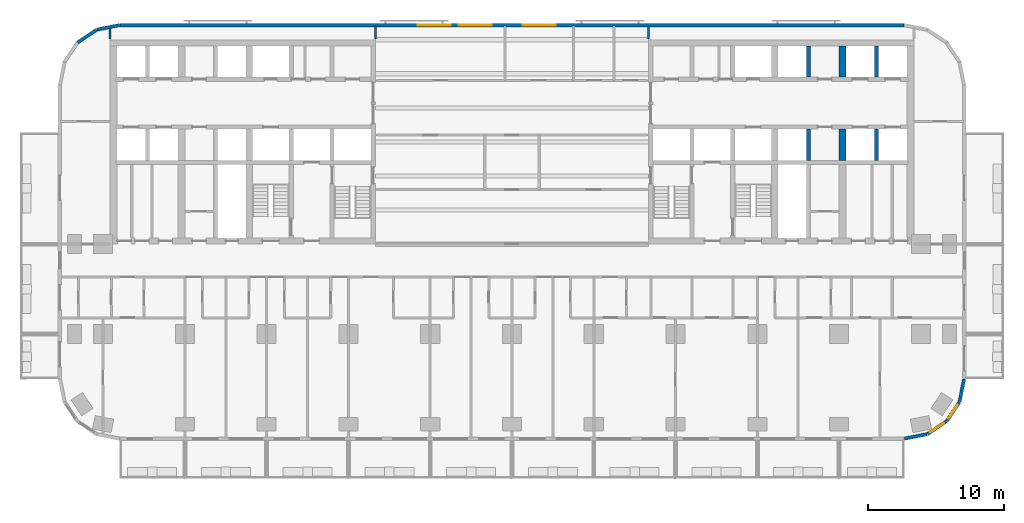
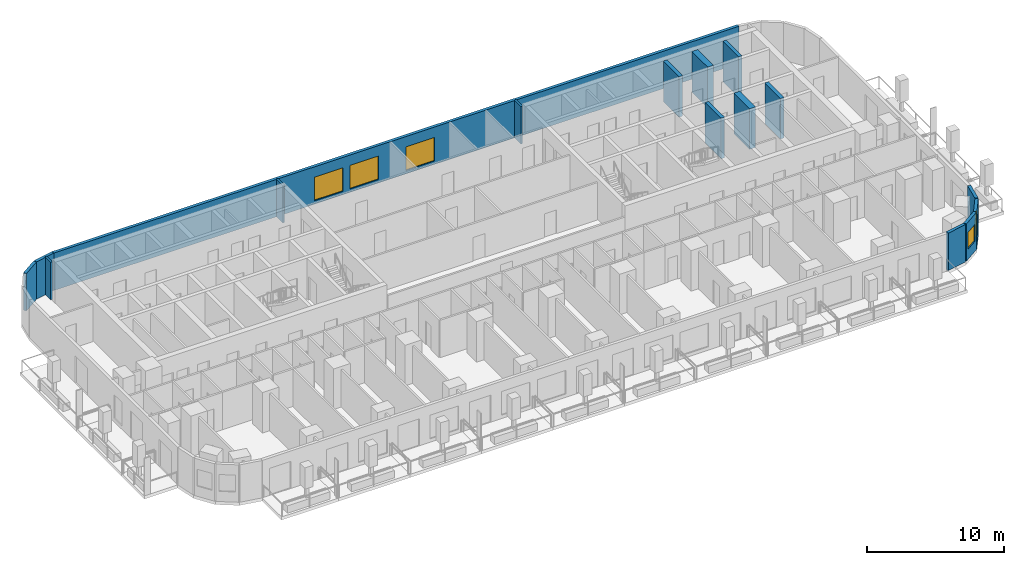
# One storey, part 9 of 15: 16 walls, 5 windows, 5 openings.
"""IFC4 building model written with IfcOpenShell, lengths in metres."""

from ifc_helpers import new_model, si_unit, direction, frame, frame_2d, origin, place, context, subcontext, project, spatial, rectangle, extrude, material, layer, layer_set, type_object, element, fill, save


model = new_model("IFC4")

# Units and contexts
model_context = context("Model", 3, precision=1e-05, world=origin(), true_north=direction((0.0, 1.0)))
body_context = subcontext(model_context, "Body", "Model", "MODEL_VIEW")
ifc_project = project(units=[si_unit("LENGTHUNIT", "METRE"), si_unit("AREAUNIT", "SQUARE_METRE"), si_unit("VOLUMEUNIT", "CUBIC_METRE"), si_unit("PLANEANGLEUNIT", "RADIAN"), si_unit("MASSUNIT", "GRAM", prefix="KILO")], contexts=[model_context])

# Site, building, storey
site_placement = place(None, origin())
site = spatial("IfcSite", under=ifc_project, at=site_placement, CompositionType="ELEMENT")
building_placement = place(site_placement, origin())
building = spatial("IfcBuilding", under=site, at=building_placement, Name="Torana Hotel and Residences", CompositionType="ELEMENT")
storey_placement = place(building_placement, frame((0.0, 0.0, 49.199951171875)))
storey = spatial("IfcBuildingStorey", under=building, at=storey_placement, Name="L11", CompositionType="ELEMENT", Elevation=49.199951171875)

# Walls
ifc_material_1 = material(Name="Concrete C80/95", Category="concrete")
ifc_layer_1 = layer(ifc_material_1, 0.300048828125)
ifc_layer_set_1 = layer_set([ifc_layer_1], Name="CORE WALL 300 C80/95")
wall_type_1 = type_object("IfcWallType", Name="CORE WALL 300 C80/95", PredefinedType="SHEAR", material=ifc_layer_set_1)
for number, where, z_axis, x_axis, name in (
    (1, (21.75, -2.75, 0.0), (0.0, 0.0, 1.0), (0.0, 1.0, 0.0), "Core wall E mm-N"),
    (2, (21.75, -8.85009765625, 0.0), (0.0, 0.0, 1.0), (0.0, 1.0, 0.0), "Core wall E mm-S"),
    (3, (26.75, -2.75, 0.0), (0.0, 0.0, 1.0), (0.0, 1.0, 0.0), "Core wall E ll-N"),
    (4, (26.75, -8.85009765625, 0.0), (0.0, 0.0, 1.0), (0.0, 1.0, 0.0), "Core wall E ll-S"),
):
    element("IfcWall", number, at=place(storey_placement, frame(where, z_axis=z_axis, x_axis=x_axis)), inside=storey, type_object=wall_type_1, Name=name, PredefinedType="SHEAR", context=body_context, shape_type="SweptSolid", body=[
        extrude(rectangle(XDim=2.300048828125, YDim=0.300048828125, at=frame_2d((1.14990234375, 0.0))), origin(), (0.0, 0.0, 1.0), 3.60009765625),
    ])
ifc_material_2 = material(Name="Concrete C80/95", Category="concrete")
ifc_layer_2 = layer(ifc_material_2, 0.5)
ifc_layer_set_2 = layer_set([ifc_layer_2], Name="CORE WALL 500 C80/95")
wall_type_2 = type_object("IfcWallType", Name="CORE WALL 500 C80/95", PredefinedType="SHEAR", material=ifc_layer_set_2)
for number, where, z_axis, x_axis, name in (
    (5, (24.25, -2.75, 0.0), (0.0, 0.0, 1.0), (0.0, 1.0, 0.0), "Core wall E ml-N"),
    (6, (24.25, -8.85009765625, 0.0), (0.0, 0.0, 1.0), (0.0, 1.0, 0.0), "Core wall E ml-S"),
):
    element("IfcWall", number, at=place(storey_placement, frame(where, z_axis=z_axis, x_axis=x_axis)), inside=storey, type_object=wall_type_2, Name=name, PredefinedType="SHEAR", context=body_context, shape_type="SweptSolid", body=[
        extrude(rectangle(XDim=2.300048828125, YDim=0.5, at=frame_2d((1.14990234375, 0.0))), origin(), (0.0, 0.0, 1.0), 3.60009765625),
    ])
ifc_material_3 = material(Name="Black aluminium composite panel", Category="aluminium")
ifc_layer_3 = layer(ifc_material_3, 0.00390625, Name="Cladding", Category="cladding")
ifc_material_4 = material(Name="Ventilated air cavity")
ifc_layer_4 = layer(ifc_material_4, 0.0400390625, Name="Ventilated cavity", Category="cavity")
ifc_material_5 = material(Name="Mineral wool insulation")
ifc_layer_5 = layer(ifc_material_5, 0.090087890625, Name="Insulation", Category="insulation")
ifc_material_6 = material(Name="Steel S280GD", Category="steel")
ifc_layer_6 = layer(ifc_material_6, 0.092041015625, Name="Steel stud frame", Category="structure")
ifc_material_7 = material(Name="Fire rated plasterboard")
ifc_layer_7 = layer(ifc_material_7, 0.011962890625, Name="Inner board", Category="finish")
ifc_layer_8 = layer(ifc_material_7, 0.011962890625, Name="Second board", Category="finish")
ifc_layer_set_3 = layer_set([ifc_layer_3, ifc_layer_4, ifc_layer_5, ifc_layer_6, ifc_layer_7, ifc_layer_8], Name="EW1 EXTERNAL WALL BLACK METAL CLAD 250")
wall_type_3 = type_object("IfcWallType", Name="EW1 EXTERNAL WALL BLACK METAL CLAD 250", PredefinedType="SOLIDWALL", material=ifc_layer_set_3)
wall_1_placement = place(storey_placement, frame((-28.7998046875, 1.072509765625, 0.0), z_axis=(0.0, 0.0, 1.0), x_axis=(-0.980803419081, -0.194999110559, 0.0)))
element("IfcWall", 7, at=wall_1_placement, inside=storey, type_object=wall_type_3, Name="External wall L11 e0.5", PredefinedType="SOLIDWALL", context=body_context, shape_type="SweptSolid", body=[
    extrude(rectangle(XDim=1.681396484375, YDim=0.25, at=frame_2d((0.8408203125, 0.0))), origin(), (0.0, 0.0, 1.0), 3.320068359375),
])
wall_2_placement = place(storey_placement, frame((-30.493896484375, 0.725830078125, 0.0), z_axis=(0.0, 0.0, 1.0), x_axis=(-0.831482937015, -0.55555029066, 0.0)))
element("IfcWall", 8, at=wall_2_placement, inside=storey, type_object=wall_type_3, Name="External wall L11 e0.6", PredefinedType="SOLIDWALL", context=body_context, shape_type="SweptSolid", body=[
    extrude(rectangle(XDim=1.65625, YDim=0.25, at=frame_2d((0.828125, 0.0))), origin(), (0.0, 0.0, 1.0), 3.320068359375),
])
wall_3_placement = place(storey_placement, frame((28.7998046875, -29.272705078125, 0.0), z_axis=(0.0, 0.0, 1.0), x_axis=(0.980775640221, 0.19513878023, 0.0)))
element("IfcWall", 9, at=wall_3_placement, inside=storey, type_object=wall_type_3, Name="External wall L11 e0.15", PredefinedType="SOLIDWALL", context=body_context, shape_type="SweptSolid", body=[
    extrude(rectangle(XDim=1.681396484375, YDim=0.25, at=frame_2d((0.8408203125, 0.0))), origin(), (0.0, 0.0, 1.0), 3.320068359375),
])

# Wall, opening, window
wall_4_placement = place(storey_placement, frame((30.493896484375, -28.92578125, 0.0), z_axis=(0.0, 0.0, 1.0), x_axis=(0.831482937015, 0.55555029066, 0.0)))
wall_4 = element("IfcWall", 10, at=wall_4_placement, inside=storey, type_object=wall_type_3, Name="External wall L11 e0.16", PredefinedType="SOLIDWALL", context=body_context, shape_type="SweptSolid", body=[
    extrude(rectangle(XDim=1.65625, YDim=0.25, at=frame_2d((0.828125, 0.0))), origin(), (0.0, 0.0, 1.0), 3.320068359375),
])
opening_1_placement = place(wall_4_placement, frame((0.228271484375, 0.0, 0.89990234375)))
opening_1 = element("IfcOpeningElement", 11, at=opening_1_placement, cuts=wall_4, Name="Opening W5", PredefinedType="OPENING", context=body_context, shape_type="SweptSolid", body=[
    extrude(rectangle(XDim=1.199951171875, YDim=1.5, at=frame_2d((0.60009765625, 0.75))), frame((0.0, 0.135009765625, 0.0), z_axis=(0.0, -1.0, 0.0), x_axis=(1.0, 0.0, 0.0)), (0.0, 0.0, 1.0), 0.27001953125),
])
ifc_material_8 = material(Name="Dark glass in black aluminium frame", Category="aluminium")
window_type_1 = type_object("IfcWindowType", Name="W5 CORNER FACET WINDOW 1200x1500", PartitioningType="SINGLE_PANEL", PredefinedType="WINDOW", material=ifc_material_8)
window_1_placement = place(opening_1_placement, origin())
window_1 = element("IfcWindow", 12, at=window_1_placement, inside=storey, type_object=window_type_1, Name="Window L11 e0.16", OverallHeight=1.5, OverallWidth=1.199951171875, PartitioningType="SINGLE_PANEL", PredefinedType="WINDOW", context=body_context, shape_type="SweptSolid", body=[
    extrude(rectangle(XDim=1.199951171875, YDim=1.5, at=frame_2d((0.60009765625, 0.75))), frame((0.0, 0.030029296875, 0.0), z_axis=(0.0, -1.0, 0.0), x_axis=(1.0, 0.0, 0.0)), (0.0, 0.0, 1.0), 0.06005859375),
])
fill(opening_1, window_1)

wall_5_placement = place(storey_placement, frame((31.90576171875, -27.97119140625, 0.0), z_axis=(0.0, 0.0, 1.0), x_axis=(0.55555029066, 0.831482937015, 0.0)))
wall_5 = element("IfcWall", 13, at=wall_5_placement, inside=storey, type_object=wall_type_3, Name="External wall L11 e0.17", PredefinedType="SOLIDWALL", context=body_context, shape_type="SweptSolid", body=[
    extrude(rectangle(XDim=1.65625, YDim=0.25, at=frame_2d((0.828125, 0.0))), origin(), (0.0, 0.0, 1.0), 3.320068359375),
])
opening_2_placement = place(wall_5_placement, frame((0.228271484375, 0.0, 0.89990234375)))
opening_2 = element("IfcOpeningElement", 14, at=opening_2_placement, cuts=wall_5, Name="Opening W5", PredefinedType="OPENING", context=body_context, shape_type="SweptSolid", body=[
    extrude(rectangle(XDim=1.199951171875, YDim=1.5, at=frame_2d((0.60009765625, 0.75))), frame((0.0, 0.135009765625, 0.0), z_axis=(0.0, -1.0, 0.0), x_axis=(1.0, 0.0, 0.0)), (0.0, 0.0, 1.0), 0.27001953125),
])
window_2_placement = place(opening_2_placement, origin())
window_2 = element("IfcWindow", 15, at=window_2_placement, inside=storey, type_object=window_type_1, Name="Window L11 e0.17", OverallHeight=1.5, OverallWidth=1.199951171875, PartitioningType="SINGLE_PANEL", PredefinedType="WINDOW", context=body_context, shape_type="SweptSolid", body=[
    extrude(rectangle(XDim=1.199951171875, YDim=1.5, at=frame_2d((0.60009765625, 0.75))), frame((0.0, 0.030029296875, 0.0), z_axis=(0.0, -1.0, 0.0), x_axis=(1.0, 0.0, 0.0)), (0.0, 0.0, 1.0), 0.06005859375),
])
fill(opening_2, window_2)

# Wall
wall_6_placement = place(storey_placement, frame((32.844482421875, -26.548828125, 0.0), z_axis=(0.0, 0.0, 1.0), x_axis=(0.195166572128, 0.980770110232, 0.0)))
element("IfcWall", 16, at=wall_6_placement, inside=storey, type_object=wall_type_3, Name="External wall L11 e0.18", PredefinedType="SOLIDWALL", context=body_context, shape_type="SweptSolid", body=[
    extrude(rectangle(XDim=1.68115234375, YDim=0.25, at=frame_2d((0.840576171875, 0.0))), origin(), (0.0, 0.0, 1.0), 3.320068359375),
])

# Wall, openings, windows
ifc_material_9 = material(Name="Concrete C40/50 precast", Category="concrete")
ifc_layer_9 = layer(ifc_material_9, 0.10009765625, Name="Perforated block", Category="cladding")
ifc_material_10 = material(Name="Air cavity")
ifc_layer_10 = layer(ifc_material_10, 0.030029296875, Name="Cavity", Category="cavity")
ifc_material_11 = material(Name="Concrete C40/50", Category="concrete")
ifc_layer_11 = layer(ifc_material_11, 0.10009765625, Name="Wall", Category="structure")
ifc_material_12 = material(Name="Plaster and paint")
ifc_layer_12 = layer(ifc_material_12, 0.02001953125, Name="Inner finish", Category="finish")
ifc_layer_set_4 = layer_set([ifc_layer_9, ifc_layer_10, ifc_layer_11, ifc_layer_12], Name="EW2 PERFORATED BLOCK SCREEN WALL 250")
wall_type_4 = type_object("IfcWallType", Name="EW2 PERFORATED BLOCK SCREEN WALL 250", PredefinedType="SOLIDWALL", material=ifc_layer_set_4)
wall_7_placement = place(storey_placement, frame((28.775390625, 1.074951171875, 0.0), z_axis=(0.0, 0.0, 1.0), x_axis=(-1.0, 0.0, 0.0)))
wall_7 = element("IfcWall", 17, at=wall_7_placement, inside=storey, type_object=wall_type_4, Name="External wall L11 e0.4", PredefinedType="SOLIDWALL", context=body_context, shape_type="SweptSolid", body=[
    extrude(rectangle(XDim=57.55078125, YDim=0.25, at=frame_2d((28.775390625, 0.0))), origin(), (0.0, 0.0, 1.0), 3.320068359375),
])
opening_3_placement = place(wall_7_placement, frame((25.575439453125, 0.0, 0.300048828125)))
opening_3 = element("IfcOpeningElement", 18, at=opening_3_placement, cuts=wall_7, Name="Opening W1", PredefinedType="OPENING", context=body_context, shape_type="SweptSolid", body=[
    extrude(rectangle(XDim=2.39990234375, YDim=2.10009765625, at=frame_2d((1.199951171875, 1.050048828125))), frame((0.0, 0.135009765625, 0.0), z_axis=(0.0, -1.0, 0.0), x_axis=(1.0, 0.0, 0.0)), (0.0, 0.0, 1.0), 0.27001953125),
])
opening_4_placement = place(wall_7_placement, frame((30.275390625, 0.0, 0.300048828125)))
opening_4 = element("IfcOpeningElement", 19, at=opening_4_placement, cuts=wall_7, Name="Opening W1", PredefinedType="OPENING", context=body_context, shape_type="SweptSolid", body=[
    extrude(rectangle(XDim=2.39990234375, YDim=2.10009765625, at=frame_2d((1.199951171875, 1.050048828125))), frame((0.0, 0.135009765625, 0.0), z_axis=(0.0, -1.0, 0.0), x_axis=(1.0, 0.0, 0.0)), (0.0, 0.0, 1.0), 0.27001953125),
])
opening_5_placement = place(wall_7_placement, frame((33.275390625, 0.0, 0.300048828125)))
opening_5 = element("IfcOpeningElement", 20, at=opening_5_placement, cuts=wall_7, Name="Opening W1", PredefinedType="OPENING", context=body_context, shape_type="SweptSolid", body=[
    extrude(rectangle(XDim=2.39990234375, YDim=2.10009765625, at=frame_2d((1.199951171875, 1.050048828125))), frame((0.0, 0.135009765625, 0.0), z_axis=(0.0, -1.0, 0.0), x_axis=(1.0, 0.0, 0.0)), (0.0, 0.0, 1.0), 0.27001953125),
])
ifc_material_13 = material(Name="Dark glass in black aluminium frame", Category="aluminium")
window_type_2 = type_object("IfcWindowType", Name="W1 HOTEL ROOM WINDOW 2400x2100", PartitioningType="SINGLE_PANEL", PredefinedType="WINDOW", material=ifc_material_13)
window_3_placement = place(opening_3_placement, origin())
window_3 = element("IfcWindow", 21, at=window_3_placement, inside=storey, type_object=window_type_2, Name="Window L11", OverallHeight=2.10009765625, OverallWidth=2.39990234375, PartitioningType="SINGLE_PANEL", PredefinedType="WINDOW", context=body_context, shape_type="SweptSolid", body=[
    extrude(rectangle(XDim=2.39990234375, YDim=2.10009765625, at=frame_2d((1.199951171875, 1.050048828125))), frame((0.0, 0.030029296875, 0.0), z_axis=(0.0, -1.0, 0.0), x_axis=(1.0, 0.0, 0.0)), (0.0, 0.0, 1.0), 0.06005859375),
])
fill(opening_3, window_3)
window_4_placement = place(opening_4_placement, origin())
window_4 = element("IfcWindow", 22, at=window_4_placement, inside=storey, type_object=window_type_2, Name="Window L11", OverallHeight=2.10009765625, OverallWidth=2.39990234375, PartitioningType="SINGLE_PANEL", PredefinedType="WINDOW", context=body_context, shape_type="SweptSolid", body=[
    extrude(rectangle(XDim=2.39990234375, YDim=2.10009765625, at=frame_2d((1.199951171875, 1.050048828125))), frame((0.0, 0.030029296875, 0.0), z_axis=(0.0, -1.0, 0.0), x_axis=(1.0, 0.0, 0.0)), (0.0, 0.0, 1.0), 0.06005859375),
])
fill(opening_4, window_4)
window_5_placement = place(opening_5_placement, origin())
window_5 = element("IfcWindow", 23, at=window_5_placement, inside=storey, type_object=window_type_2, Name="Window L11", OverallHeight=2.10009765625, OverallWidth=2.39990234375, PartitioningType="SINGLE_PANEL", PredefinedType="WINDOW", context=body_context, shape_type="SweptSolid", body=[
    extrude(rectangle(XDim=2.39990234375, YDim=2.10009765625, at=frame_2d((1.199951171875, 1.050048828125))), frame((0.0, 0.030029296875, 0.0), z_axis=(0.0, -1.0, 0.0), x_axis=(1.0, 0.0, 0.0)), (0.0, 0.0, 1.0), 0.06005859375),
])
fill(opening_5, window_5)

# Walls
ifc_material_14 = material(Name="Gypsum plasterboard")
ifc_layer_13 = layer(ifc_material_14, 0.012451171875, Name="Plasterboard", Category="finish")
ifc_layer_14 = layer(ifc_material_14, 0.012451171875, Name="Plasterboard", Category="finish")
ifc_layer_15 = layer(ifc_material_6, 0.10009765625, Name="Steel studs with mineral wool", Category="insulation")
ifc_layer_16 = layer(ifc_material_14, 0.012451171875, Name="Plasterboard", Category="finish")
ifc_layer_17 = layer(ifc_material_14, 0.012451171875, Name="Plasterboard", Category="finish")
ifc_layer_set_5 = layer_set([ifc_layer_13, ifc_layer_14, ifc_layer_15, ifc_layer_16, ifc_layer_17], Name="PARTITION 150 PLASTERBOARD")
wall_type_5 = type_object("IfcWallType", Name="PARTITION 150 PLASTERBOARD", PredefinedType="PARTITIONING", material=ifc_layer_set_5)
wall_8_placement = place(storey_placement, frame((-10.0, 0.050048828125, 0.0), z_axis=(0.0, 0.0, 1.0), x_axis=(0.0, 1.0, 0.0)))
element("IfcWall", 24, at=wall_8_placement, inside=storey, type_object=wall_type_5, Name="Partition L11", PredefinedType="PARTITIONING", context=body_context, shape_type="SweptSolid", body=[
    extrude(rectangle(XDim=0.969970703125, YDim=0.14990234375, at=frame_2d((0.48486328125, 0.0))), origin(), (0.0, 0.0, 1.0), 3.320068359375),
])
wall_9_placement = place(storey_placement, frame((-29.5, 0.050048828125, 0.0), z_axis=(0.0, 0.0, 1.0), x_axis=(0.0, 1.0, 0.0)))
element("IfcWall", 25, at=wall_9_placement, inside=storey, type_object=wall_type_5, Name="Partition L11", PredefinedType="PARTITIONING", context=body_context, shape_type="SweptSolid", body=[
    extrude(rectangle(XDim=0.8271484375, YDim=0.14990234375, at=frame_2d((0.41357421875, 0.0))), origin(), (0.0, 0.0, 1.0), 3.320068359375),
])
ifc_material_15 = material(Name="Ceramic tile on adhesive")
ifc_layer_18 = layer(ifc_material_15, 0.010009765625, Name="Wall tile", Category="finish")
ifc_material_16 = material(Name="Cement render")
ifc_layer_19 = layer(ifc_material_16, 0.010009765625, Name="Render", Category="finish")
ifc_material_17 = material(Name="Concrete blockwork", Category="masonry")
ifc_layer_20 = layer(ifc_material_17, 0.110107421875, Name="Blockwork", Category="structure")
ifc_layer_21 = layer(ifc_material_16, 0.010009765625, Name="Render", Category="finish")
ifc_layer_22 = layer(ifc_material_15, 0.010009765625, Name="Wall tile", Category="finish")
ifc_layer_set_6 = layer_set([ifc_layer_18, ifc_layer_19, ifc_layer_20, ifc_layer_21, ifc_layer_22], Name="WC PARTITION 150")
wall_type_6 = type_object("IfcWallType", Name="WC PARTITION 150", PredefinedType="PLUMBINGWALL", material=ifc_layer_set_6)
wall_10_placement = place(storey_placement, frame((10.0, 0.050048828125, 0.0), z_axis=(0.0, 0.0, 1.0), x_axis=(0.0, 1.0, 0.0)))
element("IfcWall", 26, at=wall_10_placement, inside=storey, type_object=wall_type_6, Name="Partition L11", PredefinedType="PLUMBINGWALL", context=body_context, shape_type="SweptSolid", body=[
    extrude(rectangle(XDim=0.969970703125, YDim=0.14990234375, at=frame_2d((0.48486328125, 0.0))), origin(), (0.0, 0.0, 1.0), 3.320068359375),
])

save(model, "model.ifc")
